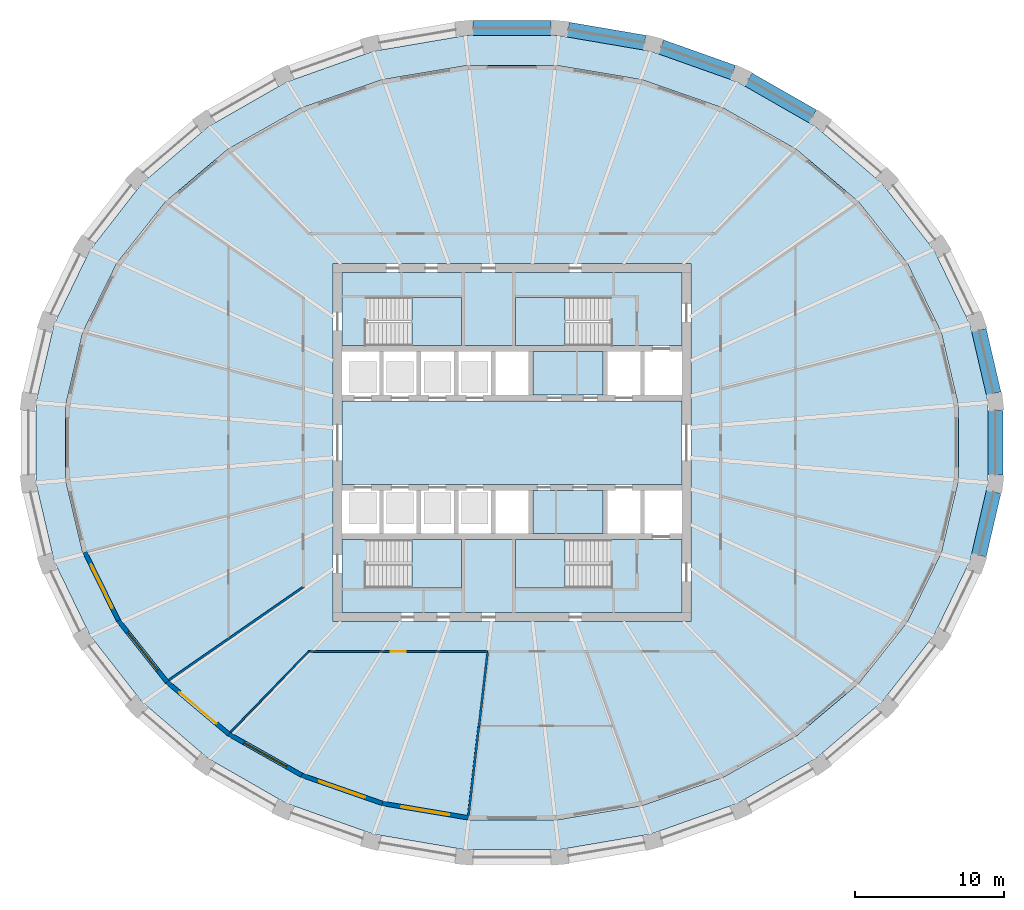
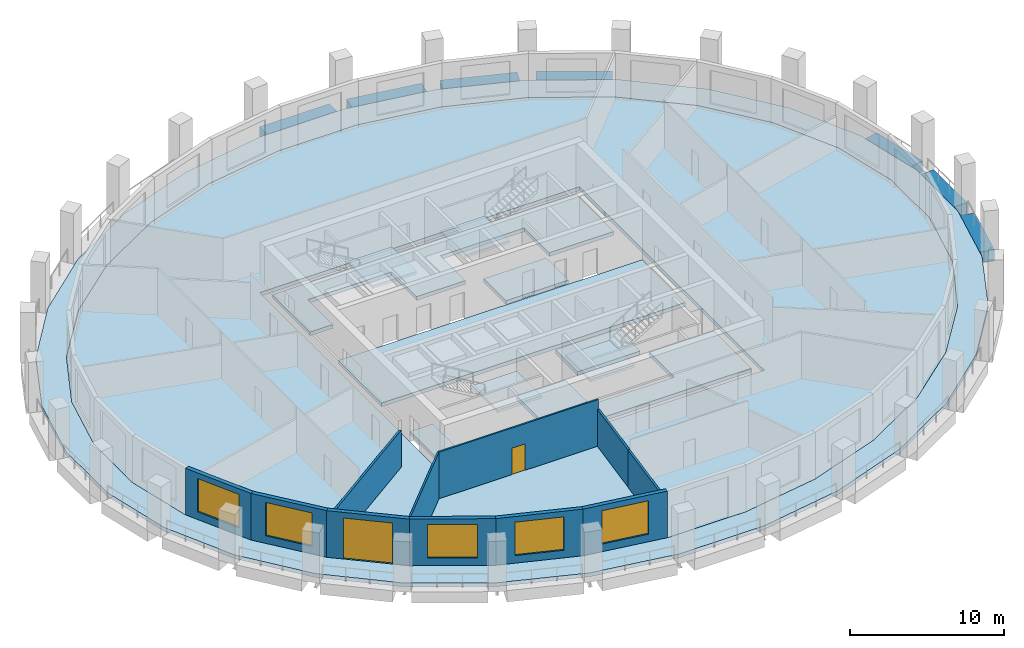
# One storey, part 2 of 10: 11 slabs, 11 walls, 7 beams, 5 windows, 2 doors, 7 openings, 4 elements without a shape of their own.
"""IFC4 building model written with IfcOpenShell, lengths in metres."""

from ifc_helpers import new_model, si_unit, direction, frame, frame_2d, origin, origin_2d, place, context, subcontext, project, spatial, polyline, rectangle, outline, extrude, material, layer, layer_set, material_profile, profile_set, type_object, element, fill, aggregate, save


model = new_model("IFC4")

# Units and contexts
model_context = context("Model", 3, precision=1e-05, world=origin(), true_north=direction((0.0, 1.0)))
body_context = subcontext(model_context, "Body", "Model", "MODEL_VIEW")
ifc_project = project(units=[si_unit("LENGTHUNIT", "METRE"), si_unit("AREAUNIT", "SQUARE_METRE"), si_unit("VOLUMEUNIT", "CUBIC_METRE"), si_unit("PLANEANGLEUNIT", "RADIAN"), si_unit("MASSUNIT", "GRAM", prefix="KILO")], contexts=[model_context])

# Site, building, storey
site_placement = place(None, origin())
site = spatial("IfcSite", under=ifc_project, at=site_placement, CompositionType="ELEMENT")
building_placement = place(site_placement, origin())
building = spatial("IfcBuilding", under=site, at=building_placement, Name="Halqa Exchange Tower", CompositionType="ELEMENT")
storey_placement = place(building_placement, frame((0.0, 0.0, 190.89990234375)))
storey = spatial("IfcBuildingStorey", under=building, at=storey_placement, Name="L43", CompositionType="ELEMENT", Elevation=190.89990234375)

# Beams
ifc_material_1 = material(Name="Concrete C60/75", Category="concrete")
ifc_material_profile = material_profile(ifc_material_1, rectangle(XDim=1.0, YDim=0.89990234375, at=origin_2d()), Name="1000 x 900")
ifc_profile_set = profile_set([ifc_material_profile], Name="Concrete C60/75")
beam_type = type_object("IfcBeamType", Name="RC spandrel beam 1000 x 900 C60/75", PredefinedType="SPANDREL", material=ifc_profile_set)
beam_1_placement = place(storey_placement, frame((32.291748046875, 3.298583984375, -0.449951171875), z_axis=(-0.226069928804, 0.974111075438, 0.0), x_axis=(-0.974111075438, -0.226069928804, 0.0)))
element("IfcBeam", 1, at=beam_1_placement, inside=storey, type_object=beam_type, Name="Spandrel 1", PredefinedType="SPANDREL", context=body_context, shape_type="SweptSolid", body=[
    extrude(rectangle(XDim=1.0, YDim=0.89990234375, at=origin_2d()), origin(), (0.0, 0.0, 1.0), 4.359619140625),
])
beam_2_placement = place(storey_placement, frame((20.16845703125, 21.872314453125, -0.449951171875), z_axis=(-0.867771135112, 0.496964040013, 0.0), x_axis=(-0.496964040013, -0.867771135112, 0.0)))
element("IfcBeam", 2, at=beam_2_placement, inside=storey, type_object=beam_type, Name="Spandrel 5", PredefinedType="SPANDREL", context=body_context, shape_type="SweptSolid", body=[
    extrude(rectangle(XDim=1.0, YDim=0.89990234375, at=origin_2d()), origin(), (0.0, 0.0, 1.0), 4.9697265625),
])
beam_3_placement = place(storey_placement, frame((14.817138671875, 24.8193359375, -0.449951171875), z_axis=(-0.942368993824, 0.334575371895, 0.0), x_axis=(-0.334575371895, -0.942368993824, 0.0)))
element("IfcBeam", 3, at=beam_3_placement, inside=storey, type_object=beam_type, Name="Spandrel 6", PredefinedType="SPANDREL", context=body_context, shape_type="SweptSolid", body=[
    extrude(rectangle(XDim=1.0, YDim=0.89990234375, at=origin_2d()), origin(), (0.0, 0.0, 1.0), 5.113037109375),
])
beam_4_placement = place(storey_placement, frame((8.891357421875, 26.81884765625, -0.449951171875), z_axis=(-0.98577756744, 0.168055310931, 0.0), x_axis=(-0.168055310931, -0.98577756744, 0.0)))
element("IfcBeam", 4, at=beam_4_placement, inside=storey, type_object=beam_type, Name="Spandrel 7", PredefinedType="SPANDREL", context=body_context, shape_type="SweptSolid", body=[
    extrude(rectangle(XDim=1.0, YDim=0.89990234375, at=origin_2d()), origin(), (0.0, 0.0, 1.0), 5.20654296875),
])
beam_5_placement = place(storey_placement, frame((2.619873046875, 27.790283203125, -0.449951171875), z_axis=(-1.0, 0.0, 0.0), x_axis=(0.0, -1.0, 0.0)))
element("IfcBeam", 5, at=beam_5_placement, inside=storey, type_object=beam_type, Name="Spandrel 8", PredefinedType="SPANDREL", context=body_context, shape_type="SweptSolid", body=[
    extrude(rectangle(XDim=1.0, YDim=0.89990234375, at=origin_2d()), origin(), (0.0, 0.0, 1.0), 5.23974609375),
])
beam_6_placement = place(storey_placement, frame((31.30615234375, -7.54541015625, -0.449951171875), z_axis=(0.226069928804, 0.974111075438, 0.0), x_axis=(-0.974111075438, 0.226069928804, 0.0)))
element("IfcBeam", 6, at=beam_6_placement, inside=storey, type_object=beam_type, Name="Spandrel 31", PredefinedType="SPANDREL", context=body_context, shape_type="SweptSolid", body=[
    extrude(rectangle(XDim=1.0, YDim=0.89990234375, at=origin_2d()), origin(), (0.0, 0.0, 1.0), 4.359619140625),
])
beam_7_placement = place(storey_placement, frame((32.422119140625, -2.160400390625, -0.449951171875), z_axis=(0.0, 1.0, 0.0), x_axis=(-1.0, 0.0, 0.0)))
element("IfcBeam", 7, at=beam_7_placement, inside=storey, type_object=beam_type, Name="Spandrel 32", PredefinedType="SPANDREL", context=body_context, shape_type="SweptSolid", body=[
    extrude(rectangle(XDim=1.0, YDim=0.89990234375, at=origin_2d()), origin(), (0.0, 0.0, 1.0), 4.32080078125),
])

# Slabs
ifc_layer_1 = layer(ifc_material_1, 0.300048828125)
ifc_layer_set_1 = layer_set([ifc_layer_1], Name="Concrete C60/75")
slab_type_1 = type_object("IfcSlabType", Name="Core floor slab 300", PredefinedType="FLOOR", material=ifc_layer_set_1)
slab_1_placement = place(storey_placement, frame((0.0, 0.0, -0.2998046875)))
element("IfcSlab", 8, at=slab_1_placement, inside=storey, type_object=slab_type_1, Name="Core floor slab", PredefinedType="FLOOR", context=body_context, shape_type="SweptSolid", body=[
    extrude(outline(polyline([(-11.39990234375, 2.800048828125), (11.39990234375, 2.800048828125), (11.39990234375, -2.800048828125), (-11.39990234375, -2.800048828125), (-11.39990234375, 2.800048828125)])), origin(), (0.0, 0.0, 1.0), 0.2998046875),
])
slab_2_placement = place(storey_placement, frame((0.0, 0.0, -0.2998046875)))
element("IfcSlab", 9, at=slab_2_placement, inside=storey, type_object=slab_type_1, Name="Core floor slab", PredefinedType="FLOOR", context=body_context, shape_type="SweptSolid", body=[
    extrude(outline(polyline([(-11.39990234375, 11.39990234375), (11.39990234375, 11.39990234375), (11.39990234375, 6.5), (6.550048828125, 6.5), (6.550048828125, 9.75), (0.25, 9.75), (0.25, 6.5), (-3.39990234375, 6.5), (-3.39990234375, 9.75), (-9.699951171875, 9.75), (-9.699951171875, 6.5), (-11.39990234375, 6.5), (-11.39990234375, 11.39990234375)])), origin(), (0.0, 0.0, 1.0), 0.2998046875),
])
slab_3_placement = place(storey_placement, frame((0.0, 0.0, -0.2998046875)))
element("IfcSlab", 10, at=slab_3_placement, inside=storey, type_object=slab_type_1, Name="Core floor slab", PredefinedType="FLOOR", context=body_context, shape_type="SweptSolid", body=[
    extrude(outline(polyline([(-9.699951171875, -9.75), (-3.39990234375, -9.75), (-3.39990234375, -6.5), (0.25, -6.5), (0.25, -9.75), (6.550048828125, -9.75), (6.550048828125, -6.5), (11.39990234375, -6.5), (11.39990234375, -11.39990234375), (-11.39990234375, -11.39990234375), (-11.39990234375, -6.5), (-9.699951171875, -6.5), (-9.699951171875, -9.75)])), origin(), (0.0, 0.0, 1.0), 0.2998046875),
])
slab_4_placement = place(storey_placement, frame((0.0, 0.0, -0.2998046875)))
element("IfcSlab", 11, at=slab_4_placement, inside=storey, type_object=slab_type_1, Name="Core floor slab", PredefinedType="FLOOR", context=body_context, shape_type="SweptSolid", body=[
    extrude(outline(polyline([(6.10009765625, -3.199951171875), (6.10009765625, -6.10009765625), (1.39990234375, -6.10009765625), (1.39990234375, -3.199951171875), (6.10009765625, -3.199951171875)])), origin(), (0.0, 0.0, 1.0), 0.2998046875),
])
slab_5_placement = place(storey_placement, frame((0.0, 0.0, -0.2998046875)))
element("IfcSlab", 12, at=slab_5_placement, inside=storey, type_object=slab_type_1, Name="Core floor slab", PredefinedType="FLOOR", context=body_context, shape_type="SweptSolid", body=[
    extrude(outline(polyline([(6.10009765625, 6.10009765625), (6.10009765625, 3.199951171875), (1.39990234375, 3.199951171875), (1.39990234375, 6.10009765625), (6.10009765625, 6.10009765625)])), origin(), (0.0, 0.0, 1.0), 0.2998046875),
])
ifc_material_2 = material(Name="Concrete C40/50", Category="concrete")
ifc_layer_2 = layer(ifc_material_2, 0.300048828125)
ifc_layer_set_2 = layer_set([ifc_layer_2], Name="Concrete C40/50")
slab_type_2 = type_object("IfcSlabType", Name="RC floor slab 300", PredefinedType="FLOOR", material=ifc_layer_set_2)
slab_6_placement = place(storey_placement, frame((0.0, 0.0, -0.2998046875)))
element("IfcSlab", 13, at=slab_6_placement, inside=storey, type_object=slab_type_2, Name="Floor slab", PredefinedType="FLOOR", context=body_context, shape_type="SweptSolid", body=[
    extrude(outline(polyline([(29.935546875, 2.49755859375), (28.78076171875, 7.39501953125), (26.517578125, 12.0048828125), (23.23583984375, 16.14892578125), (19.0634765625, 19.669189453125), (14.161865234375, 22.4326171875), (8.71923828125, 24.33447265625), (2.94384765625, 25.3037109375), (-2.94384765625, 25.3037109375), (-8.71923828125, 24.33447265625), (-14.161865234375, 22.4326171875), (-19.0634765625, 19.669189453125), (-23.23583984375, 16.14892578125), (-26.517578125, 12.0048828125), (-28.78076171875, 7.39501953125), (-29.935546875, 2.49755859375), (-29.935546875, -2.49755859375), (-28.78076171875, -7.39501953125), (-26.517578125, -12.0048828125), (-23.23583984375, -16.14892578125), (-19.0634765625, -19.669189453125), (-14.161865234375, -22.4326171875), (-8.71923828125, -24.33447265625), (-2.94384765625, -25.3037109375), (2.94384765625, -25.3037109375), (8.71923828125, -24.33447265625), (14.161865234375, -22.4326171875), (19.0634765625, -19.669189453125), (23.23583984375, -16.14892578125), (26.517578125, -12.0048828125), (28.78076171875, -7.39501953125), (29.935546875, -2.49755859375), (29.935546875, 2.49755859375)]), holes=[polyline([(-12.0, -12.0), (12.0, -12.0), (12.0, 12.0), (-12.0, 12.0), (-12.0, -12.0)])]), origin(), (0.0, 0.0, 1.0), 0.2998046875),
])
ifc_layer_3 = layer(ifc_material_2, 0.300048828125)
ifc_layer_set_3 = layer_set([ifc_layer_3], Name="Concrete C40/50")
slab_type_3 = type_object("IfcSlabType", Name="RC loggia slab 300", PredefinedType="FLOOR", material=ifc_layer_set_3)
slab_7_placement = place(storey_placement, frame((0.0, 0.0, -0.2998046875)))
element("IfcSlab", 14, at=slab_7_placement, inside=storey, type_object=slab_type_3, Name="Loggia slab", PredefinedType="FLOOR", context=body_context, shape_type="SweptSolid", body=[
    extrude(outline(polyline([(31.922119140625, 2.6796875), (31.922119140625, -2.6796875), (30.70166015625, -7.938720703125), (28.304931640625, -12.898193359375), (24.8203125, -17.368408203125), (20.37841796875, -21.17578125), (15.14794921875, -24.17138671875), (9.33056640625, -26.23681640625), (3.15087890625, -27.290283203125), (-3.15087890625, -27.290283203125), (-9.33056640625, -26.23681640625), (-15.14794921875, -24.17138671875), (-20.37841796875, -21.17578125), (-24.8203125, -17.368408203125), (-28.304931640625, -12.898193359375), (-30.70166015625, -7.938720703125), (-31.922119140625, -2.6796875), (-31.922119140625, 2.6796875), (-30.70166015625, 7.938720703125), (-28.304931640625, 12.898193359375), (-24.8203125, 17.368408203125), (-20.37841796875, 21.17578125), (-15.14794921875, 24.17138671875), (-9.33056640625, 26.23681640625), (-3.15087890625, 27.290283203125), (3.15087890625, 27.290283203125), (9.33056640625, 26.23681640625), (15.14794921875, 24.17138671875), (20.37841796875, 21.17578125), (24.8203125, 17.368408203125), (28.304931640625, 12.898193359375), (30.70166015625, 7.938720703125), (31.922119140625, 2.6796875)]), holes=[polyline([(29.935546875, 2.49755859375), (28.78076171875, 7.39501953125), (26.517578125, 12.0048828125), (23.23583984375, 16.14892578125), (19.0634765625, 19.669189453125), (14.161865234375, 22.4326171875), (8.71923828125, 24.33447265625), (2.94384765625, 25.3037109375), (-2.94384765625, 25.3037109375), (-8.71923828125, 24.33447265625), (-14.161865234375, 22.4326171875), (-19.0634765625, 19.669189453125), (-23.23583984375, 16.14892578125), (-26.517578125, 12.0048828125), (-28.78076171875, 7.39501953125), (-29.935546875, 2.49755859375), (-29.935546875, -2.49755859375), (-28.78076171875, -7.39501953125), (-26.517578125, -12.0048828125), (-23.23583984375, -16.14892578125), (-19.0634765625, -19.669189453125), (-14.161865234375, -22.4326171875), (-8.71923828125, -24.33447265625), (-2.94384765625, -25.3037109375), (2.94384765625, -25.3037109375), (8.71923828125, -24.33447265625), (14.161865234375, -22.4326171875), (19.0634765625, -19.669189453125), (23.23583984375, -16.14892578125), (26.517578125, -12.0048828125), (28.78076171875, -7.39501953125), (29.935546875, -2.49755859375), (29.935546875, 2.49755859375)])]), origin(), (0.0, 0.0, 1.0), 0.2998046875),
])

# Stair, slab
ifc_material_3 = material(Name="Concrete C30/37", Category="concrete")
stair_type = type_object("IfcStairType", Name="Exit stair 1500 wide", PredefinedType="HALF_TURN_STAIR", material=ifc_material_3)
stair_1_placement = place(storey_placement, origin())
stair_1 = element("IfcStair", 15, at=stair_1_placement, inside=storey, type_object=stair_type, Name="Exit stair ST1", PredefinedType="HALF_TURN_STAIR")
ifc_layer_4 = layer(ifc_material_3, 0.199951171875)
ifc_layer_set_4 = layer_set([ifc_layer_4], Name="Concrete C30/37")
slab_type_4 = type_object("IfcSlabType", Name="Stair landing 200 slab", PredefinedType="LANDING", material=ifc_layer_set_4)
slab_8_placement = place(storey_placement, frame((0.0, 0.0, 1.800048828125)))
slab_8 = element("IfcSlab", 16, at=slab_8_placement, type_object=slab_type_4, Name="ST1 landing 1", PredefinedType="LANDING", context=body_context, shape_type="SweptSolid", body=[
    extrude(outline(polyline([(-6.719970703125, 6.5), (-3.39990234375, 6.5), (-3.39990234375, 9.75), (-6.719970703125, 9.75), (-6.719970703125, 6.5)])), origin(), (0.0, 0.0, 1.0), 0.199951171875),
])
aggregate(stair_1, [slab_8])

stair_2_placement = place(storey_placement, origin())
stair_2 = element("IfcStair", 17, at=stair_2_placement, inside=storey, type_object=stair_type, Name="Exit stair ST2", PredefinedType="HALF_TURN_STAIR")
slab_9_placement = place(storey_placement, frame((0.0, 0.0, 1.800048828125)))
slab_9 = element("IfcSlab", 18, at=slab_9_placement, type_object=slab_type_4, Name="ST2 landing 1", PredefinedType="LANDING", context=body_context, shape_type="SweptSolid", body=[
    extrude(outline(polyline([(0.25, 6.5), (3.570068359375, 6.5), (3.570068359375, 9.75), (0.25, 9.75), (0.25, 6.5)])), origin(), (0.0, 0.0, 1.0), 0.199951171875),
])
aggregate(stair_2, [slab_9])

stair_3_placement = place(storey_placement, origin())
stair_3 = element("IfcStair", 19, at=stair_3_placement, inside=storey, type_object=stair_type, Name="Exit stair ST3", PredefinedType="HALF_TURN_STAIR")
slab_10_placement = place(storey_placement, frame((0.0, 0.0, 1.800048828125)))
slab_10 = element("IfcSlab", 20, at=slab_10_placement, type_object=slab_type_4, Name="ST3 landing 1", PredefinedType="LANDING", context=body_context, shape_type="SweptSolid", body=[
    extrude(outline(polyline([(-6.719970703125, -9.75), (-3.39990234375, -9.75), (-3.39990234375, -6.5), (-6.719970703125, -6.5), (-6.719970703125, -9.75)])), origin(), (0.0, 0.0, 1.0), 0.199951171875),
])
aggregate(stair_3, [slab_10])

stair_4_placement = place(storey_placement, origin())
stair_4 = element("IfcStair", 21, at=stair_4_placement, inside=storey, type_object=stair_type, Name="Exit stair ST4", PredefinedType="HALF_TURN_STAIR")
slab_11_placement = place(storey_placement, frame((0.0, 0.0, 1.800048828125)))
slab_11 = element("IfcSlab", 22, at=slab_11_placement, type_object=slab_type_4, Name="ST4 landing 1", PredefinedType="LANDING", context=body_context, shape_type="SweptSolid", body=[
    extrude(outline(polyline([(0.25, -9.75), (3.570068359375, -9.75), (3.570068359375, -6.5), (0.25, -6.5), (0.25, -9.75)])), origin(), (0.0, 0.0, 1.0), 0.199951171875),
])
aggregate(stair_4, [slab_11])

# Walls
ifc_material_4 = material(Name="Fire-rated gypsum board")
ifc_layer_5 = layer(ifc_material_4, 0.14990234375)
ifc_layer_set_5 = layer_set([ifc_layer_5], Name="Fire-rated gypsum board")
wall_type_1 = type_object("IfcWallType", Name="Fire partition EI 60 150", PredefinedType="PARTITIONING", material=ifc_layer_set_5)
wall_1_placement = place(storey_placement, frame((-23.0244140625, -15.939697265625, 0.0), z_axis=(0.0, 0.0, 1.0), x_axis=(0.822097241007, 0.569347105313, 0.0)))
element("IfcWall", 23, at=wall_1_placement, inside=storey, type_object=wall_type_1, Name="L43-PWL-003", PredefinedType="PARTITIONING", context=body_context, shape_type="SweptSolid", body=[
    extrude(outline(polyline([(0.024169921875, -0.074951171875), (1.856201171875, -0.074951171875), (3.688232421875, -0.074951171875), (5.520263671875, -0.074951171875), (7.352294921875, -0.074951171875), (9.184326171875, -0.074951171875), (11.016357421875, -0.074951171875), (10.977294921875, -0.000244140625), (10.937744140625, 0.074951171875), (8.961181640625, 0.074951171875), (6.984619140625, 0.074951171875), (5.008056640625, 0.074951171875), (5.006103515625, 0.072265625), (5.00244140625, 0.074951171875), (3.3349609375, 0.074951171875), (1.66748046875, 0.074951171875), (0.0, 0.074951171875), (0.0, 0.068359375), (0.004638671875, -0.002197265625), (0.024169921875, -0.074951171875)])), origin(), (0.0, 0.0, 1.0), 2.947021484375),
])
wall_2_placement = place(storey_placement, frame((-2.915283203125, -25.000244140625, 0.0), z_axis=(0.0, 0.0, 1.0), x_axis=(0.115112831027, 0.993352422926, 0.0)))
element("IfcWall", 24, at=wall_2_placement, inside=storey, type_object=wall_type_1, Name="L43-PWL-014", PredefinedType="PARTITIONING", context=body_context, shape_type="SweptSolid", body=[
    extrude(outline(polyline([(0.0, 0.074951171875), (0.0, -0.031005859375), (0.005126953125, -0.074951171875), (2.00048828125, -0.074951171875), (3.99609375, -0.074951171875), (5.991455078125, -0.074951171875), (5.991455078125, 0.074951171875), (3.994384765625, 0.074951171875), (1.9970703125, 0.074951171875), (0.0, 0.074951171875)])), origin(), (0.0, 0.0, 1.0), 2.947021484375),
])
wall_3_placement = place(storey_placement, frame((-2.2158203125, -19.0498046875, 0.0), z_axis=(0.0, 0.0, 1.0), x_axis=(0.11524289965, 0.993337341531, 0.0)))
element("IfcWall", 25, at=wall_3_placement, inside=storey, type_object=wall_type_1, Name="L43-PWL-015", PredefinedType="PARTITIONING", context=body_context, shape_type="SweptSolid", body=[
    extrude(outline(polyline([(0.0, -0.074951171875), (0.0986328125, -0.074951171875), (0.109130859375, -0.07373046875), (0.109130859375, -0.074951171875), (1.744873046875, -0.074951171875), (3.380859375, -0.074951171875), (5.0166015625, -0.074951171875), (5.0166015625, -0.07275390625), (5.00927734375, -0.008544921875), (5.0166015625, -0.0078125), (5.0166015625, 0.0576171875), (5.0146484375, 0.074951171875), (3.343017578125, 0.074951171875), (1.671630859375, 0.074951171875), (0.000244140625, 0.074951171875), (0.0, -0.065185546875), (0.0, -0.065185546875), (0.0, -0.074951171875)])), origin(), (0.0, 0.0, 1.0), 2.947021484375),
])

# Wall, opening, door
ifc_material_5 = material(Name="Fire-rated glazing", Category="glass")
ifc_layer_6 = layer(ifc_material_5, 0.1201171875)
ifc_layer_set_6 = layer_set([ifc_layer_6], Name="Fire-rated glazing")
wall_type_2 = type_object("IfcWallType", Name="Glazed fire partition EI 60 120", PredefinedType="PARTITIONING", material=ifc_layer_set_6)
wall_4_placement = place(storey_placement, frame((-13.6455078125, -14.0, 0.0), z_axis=(0.0, 0.0, 1.0), x_axis=(1.0, 0.0, 0.0)))
wall_4 = element("IfcWall", 26, at=wall_4_placement, inside=storey, type_object=wall_type_2, Name="L43-PWL-010", PredefinedType="PARTITIONING", context=body_context, shape_type="SweptSolid", body=[
    extrude(outline(polyline([(12.015625, 0.06005859375), (10.299072265625, 0.06005859375), (8.58251953125, 0.06005859375), (6.8662109375, 0.06005859375), (5.149658203125, 0.06005859375), (3.43310546875, 0.06005859375), (1.716552734375, 0.06005859375), (0.000244140625, 0.06005859375), (0.05078125, -0.06005859375), (2.044921875, -0.06005859375), (4.0390625, -0.06005859375), (6.033203125, -0.06005859375), (8.02734375, -0.06005859375), (10.021484375, -0.06005859375), (12.015625, -0.06005859375), (12.015625, 0.06005859375)])), origin(), (0.0, 0.0, 1.0), 3.7001953125),
])
opening_1_placement = place(wall_4_placement, frame((5.5205078125, 0.0, 0.0)))
opening_1 = element("IfcOpeningElement", 27, at=opening_1_placement, cuts=wall_4, Name="Opening 13-06", PredefinedType="OPENING", context=body_context, shape_type="SweptSolid", body=[
    extrude(rectangle(XDim=1.0, YDim=2.10009765625, at=frame_2d((0.5, 1.050048828125))), frame((0.0, 0.072021484375, 0.0), z_axis=(0.0, -1.0, 0.0), x_axis=(1.0, 0.0, 0.0)), (0.0, 0.0, 1.0), 0.14404296875),
])
ifc_material_6 = material(Name="Steel fire door leaf", Category="steel")
door_type_1 = type_object("IfcDoorType", Name="Fire door FD30S 1000 x 2100", OperationType="SINGLE_SWING_LEFT", PredefinedType="DOOR", material=ifc_material_6)
door_1_placement = place(opening_1_placement, frame((1.0, 0.0, 0.0), z_axis=(0.0, 0.0, 1.0), x_axis=(-1.0, 0.0, 0.0)))
door_1 = element("IfcDoor", 28, at=door_1_placement, inside=storey, type_object=door_type_1, Name="L43-IDR-006", OperationType="SINGLE_SWING_RIGHT", OverallHeight=2.10009765625, OverallWidth=1.0, PredefinedType="DOOR", context=body_context, shape_type="SweptSolid", body=[
    extrude(rectangle(XDim=1.0, YDim=2.10009765625, at=frame_2d((0.5, 1.050048828125))), frame((0.0, 0.02490234375, 0.0), z_axis=(0.0, -1.0, 0.0), x_axis=(1.0, 0.0, 0.0)), (0.0, 0.0, 1.0), 0.050048828125),
])
fill(opening_1, door_1)

# Wall
wall_5_placement = place(storey_placement, frame((-13.602294921875, -13.981689453125, 0.0), z_axis=(0.0, 0.0, 1.0), x_axis=(-0.69685470262, -0.717212328001, 0.0)))
element("IfcWall", 29, at=wall_5_placement, inside=storey, type_object=wall_type_2, Name="L43-PWL-013", PredefinedType="PARTITIONING", context=body_context, shape_type="SweptSolid", body=[
    extrude(outline(polyline([(7.59130859375, -0.06005859375), (7.59130859375, -0.05810546875), (7.58740234375, -0.002685546875), (7.57080078125, 0.06005859375), (5.69091796875, 0.06005859375), (3.810791015625, 0.06005859375), (1.930908203125, 0.06005859375), (0.05078125, 0.06005859375), (0.025390625, 0.0), (0.000244140625, -0.06005859375), (0.0, -0.06005859375), (0.0, -0.06005859375), (1.89794921875, -0.06005859375), (3.795654296875, -0.06005859375), (5.693603515625, -0.06005859375), (7.59130859375, -0.06005859375)])), origin(), (0.0, 0.0, 1.0), 3.7001953125),
])

# Wall, opening, window
ifc_material_7 = material(Name="Limestone cladding", Category="masonry")
ifc_layer_7 = layer(ifc_material_7, 0.0400390625)
ifc_material_8 = material(Name="Ventilated cavity")
ifc_layer_8 = layer(ifc_material_8, 0.030029296875, ventilated=True)
ifc_material_9 = material(Name="Mineral wool insulation")
ifc_layer_9 = layer(ifc_material_9, 0.10009765625)
ifc_layer_10 = layer(ifc_material_3, 0.10009765625)
ifc_material_10 = material(Name="Internal plaster")
ifc_layer_11 = layer(ifc_material_10, 0.030029296875)
ifc_layer_set_7 = layer_set([ifc_layer_7, ifc_layer_8, ifc_layer_9, ifc_layer_10, ifc_layer_11], Name="Stone-faced insulated wall 300")
wall_type_3 = type_object("IfcWallType", Name="Stone-faced insulated wall 300", PredefinedType="STANDARD", material=ifc_layer_set_7)
wall_6_placement = place(storey_placement, frame((-28.638671875, -7.34423828125, 0.0), z_axis=(0.0, 0.0, 1.0), x_axis=(0.440694221881, -0.897657285829, 0.0)))
wall_6 = element("IfcWall", 30, at=wall_6_placement, inside=storey, type_object=wall_type_3, Name="Glass-line wall 18", PredefinedType="STANDARD", context=body_context, shape_type="SweptSolid", body=[
    extrude(outline(polyline([(-0.016845703125, -0.14990234375), (5.118408203125, -0.14990234375), (5.086181640625, 0.14990234375), (0.016845703125, 0.14990234375), (-0.016845703125, -0.14990234375)])), origin(), (0.0, 0.0, 1.0), 3.7001953125),
])
opening_2_placement = place(wall_6_placement, frame((0.926025390625, 0.0, 0.60009765625)))
opening_2 = element("IfcOpeningElement", 31, at=opening_2_placement, cuts=wall_6, Name="Opening W-F3-18", PredefinedType="OPENING", context=body_context, shape_type="SweptSolid", body=[
    extrude(rectangle(XDim=3.25, YDim=2.64990234375, at=frame_2d((1.625, 1.324951171875))), frame((0.0, 0.162109375, 0.0), z_axis=(0.0, -1.0, 0.0), x_axis=(1.0, 0.0, 0.0)), (0.0, 0.0, 1.0), 0.323974609375),
])
ifc_material_11 = material(Name="Clear low-emissivity glass in aluminium frame", Category="aluminium")
window_type = type_object("IfcWindowType", Name="Fixed clear glazed window 3250 x 2650", PartitioningType="TRIPLE_PANEL_VERTICAL", PredefinedType="WINDOW", material=ifc_material_11)
window_1_placement = place(opening_2_placement, origin())
window_1 = element("IfcWindow", 32, at=window_1_placement, inside=storey, type_object=window_type, Name="Window 3", OverallHeight=2.64990234375, OverallWidth=3.25, PartitioningType="TRIPLE_PANEL_VERTICAL", PredefinedType="WINDOW", context=body_context, shape_type="SweptSolid", body=[
    extrude(rectangle(XDim=3.25, YDim=2.64990234375, at=frame_2d((1.625, 1.324951171875))), frame((0.0, 0.030029296875, 0.0), z_axis=(0.0, -1.0, 0.0), x_axis=(1.0, 0.0, 0.0)), (0.0, 0.0, 1.0), 0.06005859375),
])
fill(opening_2, window_1)

wall_7_placement = place(storey_placement, frame((-26.39013671875, -11.92431640625, 0.0), z_axis=(0.0, 0.0, 1.0), x_axis=(0.620829074232, -0.783945955145, 0.0)))
wall_7 = element("IfcWall", 33, at=wall_7_placement, inside=storey, type_object=wall_type_3, Name="Glass-line wall 19", PredefinedType="STANDARD", context=body_context, shape_type="SweptSolid", body=[
    extrude(outline(polyline([(-0.01611328125, -0.14990234375), (5.27001953125, -0.14990234375), (5.23974609375, 0.14990234375), (0.01611328125, 0.14990234375), (-0.01611328125, -0.14990234375)])), origin(), (0.0, 0.0, 1.0), 3.7001953125),
])
opening_3_placement = place(wall_7_placement, frame((1.002685546875, 0.0, 0.60009765625)))
opening_3 = element("IfcOpeningElement", 34, at=opening_3_placement, cuts=wall_7, Name="Opening W-F3-19", PredefinedType="OPENING", context=body_context, shape_type="SweptSolid", body=[
    extrude(rectangle(XDim=3.25, YDim=2.64990234375, at=frame_2d((1.625, 1.324951171875))), frame((0.0, 0.162109375, 0.0), z_axis=(0.0, -1.0, 0.0), x_axis=(1.0, 0.0, 0.0)), (0.0, 0.0, 1.0), 0.323974609375),
])
window_2_placement = place(opening_3_placement, origin())
window_2 = element("IfcWindow", 35, at=window_2_placement, inside=storey, type_object=window_type, Name="Window 3", OverallHeight=2.64990234375, OverallWidth=3.25, PartitioningType="TRIPLE_PANEL_VERTICAL", PredefinedType="WINDOW", context=body_context, shape_type="SweptSolid", body=[
    extrude(rectangle(XDim=3.25, YDim=2.64990234375, at=frame_2d((1.625, 1.324951171875))), frame((0.0, 0.030029296875, 0.0), z_axis=(0.0, -1.0, 0.0), x_axis=(1.0, 0.0, 0.0)), (0.0, 0.0, 1.0), 0.06005859375),
])
fill(opening_3, window_2)

# Wall, opening, door
wall_8_placement = place(storey_placement, frame((-23.127685546875, -16.0439453125, 0.0), z_axis=(0.0, 0.0, 1.0), x_axis=(0.764330261608, -0.644824977176, 0.0)))
wall_8 = element("IfcWall", 36, at=wall_8_placement, inside=storey, type_object=wall_type_3, Name="Glass-line wall 20", PredefinedType="STANDARD", context=body_context, shape_type="SweptSolid", body=[
    extrude(outline(polyline([(-0.01513671875, -0.14990234375), (5.4443359375, -0.14990234375), (5.416015625, 0.14990234375), (0.01513671875, 0.14990234375), (-0.01513671875, -0.14990234375)])), origin(), (0.0, 0.0, 1.0), 3.7001953125),
])
opening_4_placement = place(wall_8_placement, frame((1.090087890625, 0.0, 0.0)))
opening_4 = element("IfcOpeningElement", 37, at=opening_4_placement, cuts=wall_8, Name="Opening LG-F3-05", PredefinedType="OPENING", context=body_context, shape_type="SweptSolid", body=[
    extrude(rectangle(XDim=3.25, YDim=3.25, at=frame_2d((1.625, 1.625))), frame((0.0, 0.162109375, 0.0), z_axis=(0.0, -1.0, 0.0), x_axis=(1.0, 0.0, 0.0)), (0.0, 0.0, 1.0), 0.323974609375),
])
door_type_2 = type_object("IfcDoorType", Name="Glazed sliding loggia door 3250 x 3250", OperationType="DOUBLE_DOOR_SLIDING", PredefinedType="DOOR", material=ifc_material_11)
door_2_placement = place(opening_4_placement, origin())
door_2 = element("IfcDoor", 38, at=door_2_placement, inside=storey, type_object=door_type_2, Name="Loggia door 5", OperationType="DOUBLE_DOOR_SLIDING", OverallHeight=3.25, OverallWidth=3.25, PredefinedType="DOOR", context=body_context, shape_type="SweptSolid", body=[
    extrude(rectangle(XDim=3.25, YDim=3.25, at=frame_2d((1.625, 1.625))), frame((0.0, 0.02490234375, 0.0), z_axis=(0.0, -1.0, 0.0), x_axis=(1.0, 0.0, 0.0)), (0.0, 0.0, 1.0), 0.050048828125),
])
fill(opening_4, door_2)

# Wall, opening, window
wall_9_placement = place(storey_placement, frame((-18.977294921875, -19.54541015625, 0.0), z_axis=(0.0, 0.0, 1.0), x_axis=(0.871083701819, -0.491134588912, 0.0)))
wall_9 = element("IfcWall", 39, at=wall_9_placement, inside=storey, type_object=wall_type_3, Name="Glass-line wall 21", PredefinedType="STANDARD", context=body_context, shape_type="SweptSolid", body=[
    extrude(outline(polyline([(-0.01416015625, -0.14990234375), (5.61279296875, -0.14990234375), (5.5859375, 0.14990234375), (0.01416015625, 0.14990234375), (-0.01416015625, -0.14990234375)])), origin(), (0.0, 0.0, 1.0), 3.7001953125),
])
opening_5_placement = place(wall_9_placement, frame((1.1748046875, 0.0, 0.60009765625)))
opening_5 = element("IfcOpeningElement", 40, at=opening_5_placement, cuts=wall_9, Name="Opening W-F3-21", PredefinedType="OPENING", context=body_context, shape_type="SweptSolid", body=[
    extrude(rectangle(XDim=3.25, YDim=2.64990234375, at=frame_2d((1.625, 1.324951171875))), frame((0.0, 0.162109375, 0.0), z_axis=(0.0, -1.0, 0.0), x_axis=(1.0, 0.0, 0.0)), (0.0, 0.0, 1.0), 0.323974609375),
])
window_3_placement = place(opening_5_placement, origin())
window_3 = element("IfcWindow", 41, at=window_3_placement, inside=storey, type_object=window_type, Name="Window 3", OverallHeight=2.64990234375, OverallWidth=3.25, PartitioningType="TRIPLE_PANEL_VERTICAL", PredefinedType="WINDOW", context=body_context, shape_type="SweptSolid", body=[
    extrude(rectangle(XDim=3.25, YDim=2.64990234375, at=frame_2d((1.625, 1.324951171875))), frame((0.0, 0.030029296875, 0.0), z_axis=(0.0, -1.0, 0.0), x_axis=(1.0, 0.0, 0.0)), (0.0, 0.0, 1.0), 0.06005859375),
])
fill(opening_5, window_3)

wall_10_placement = place(storey_placement, frame((-14.099853515625, -22.29541015625, 0.0), z_axis=(0.0, 0.0, 1.0), x_axis=(0.944020060936, -0.329888048511, 0.0)))
wall_10 = element("IfcWall", 42, at=wall_10_placement, inside=storey, type_object=wall_type_3, Name="Glass-line wall 22", PredefinedType="STANDARD", context=body_context, shape_type="SweptSolid", body=[
    extrude(outline(polyline([(-0.013427734375, -0.14990234375), (5.751953125, -0.14990234375), (5.7265625, 0.14990234375), (0.013427734375, 0.14990234375), (-0.013427734375, -0.14990234375)])), origin(), (0.0, 0.0, 1.0), 3.7001953125),
])
opening_6_placement = place(wall_10_placement, frame((1.24462890625, 0.0, 0.60009765625)))
opening_6 = element("IfcOpeningElement", 43, at=opening_6_placement, cuts=wall_10, Name="Opening W-F3-22", PredefinedType="OPENING", context=body_context, shape_type="SweptSolid", body=[
    extrude(rectangle(XDim=3.25, YDim=2.64990234375, at=frame_2d((1.625, 1.324951171875))), frame((0.0, 0.162109375, 0.0), z_axis=(0.0, -1.0, 0.0), x_axis=(1.0, 0.0, 0.0)), (0.0, 0.0, 1.0), 0.323974609375),
])
window_4_placement = place(opening_6_placement, origin())
window_4 = element("IfcWindow", 44, at=window_4_placement, inside=storey, type_object=window_type, Name="Window 3", OverallHeight=2.64990234375, OverallWidth=3.25, PartitioningType="TRIPLE_PANEL_VERTICAL", PredefinedType="WINDOW", context=body_context, shape_type="SweptSolid", body=[
    extrude(rectangle(XDim=3.25, YDim=2.64990234375, at=frame_2d((1.625, 1.324951171875))), frame((0.0, 0.030029296875, 0.0), z_axis=(0.0, -1.0, 0.0), x_axis=(1.0, 0.0, 0.0)), (0.0, 0.0, 1.0), 0.06005859375),
])
fill(opening_6, window_4)

wall_11_placement = place(storey_placement, frame((-8.681884765625, -24.188720703125, 0.0), z_axis=(0.0, 0.0, 1.0), x_axis=(0.986207709048, -0.165512400181, 0.0)))
wall_11 = element("IfcWall", 45, at=wall_11_placement, inside=storey, type_object=wall_type_3, Name="Glass-line wall 23", PredefinedType="STANDARD", context=body_context, shape_type="SweptSolid", body=[
    extrude(outline(polyline([(-0.0126953125, -0.14990234375), (5.84326171875, -0.14990234375), (5.818359375, 0.14990234375), (0.0126953125, 0.14990234375), (-0.0126953125, -0.14990234375)])), origin(), (0.0, 0.0, 1.0), 3.7001953125),
])
opening_7_placement = place(wall_11_placement, frame((1.29052734375, 0.0, 0.60009765625)))
opening_7 = element("IfcOpeningElement", 46, at=opening_7_placement, cuts=wall_11, Name="Opening W-F3-23", PredefinedType="OPENING", context=body_context, shape_type="SweptSolid", body=[
    extrude(rectangle(XDim=3.25, YDim=2.64990234375, at=frame_2d((1.625, 1.324951171875))), frame((0.0, 0.162109375, 0.0), z_axis=(0.0, -1.0, 0.0), x_axis=(1.0, 0.0, 0.0)), (0.0, 0.0, 1.0), 0.323974609375),
])
window_5_placement = place(opening_7_placement, origin())
window_5 = element("IfcWindow", 47, at=window_5_placement, inside=storey, type_object=window_type, Name="Window 3", OverallHeight=2.64990234375, OverallWidth=3.25, PartitioningType="TRIPLE_PANEL_VERTICAL", PredefinedType="WINDOW", context=body_context, shape_type="SweptSolid", body=[
    extrude(rectangle(XDim=3.25, YDim=2.64990234375, at=frame_2d((1.625, 1.324951171875))), frame((0.0, 0.030029296875, 0.0), z_axis=(0.0, -1.0, 0.0), x_axis=(1.0, 0.0, 0.0)), (0.0, 0.0, 1.0), 0.06005859375),
])
fill(opening_7, window_5)

save(model, "model.ifc")
